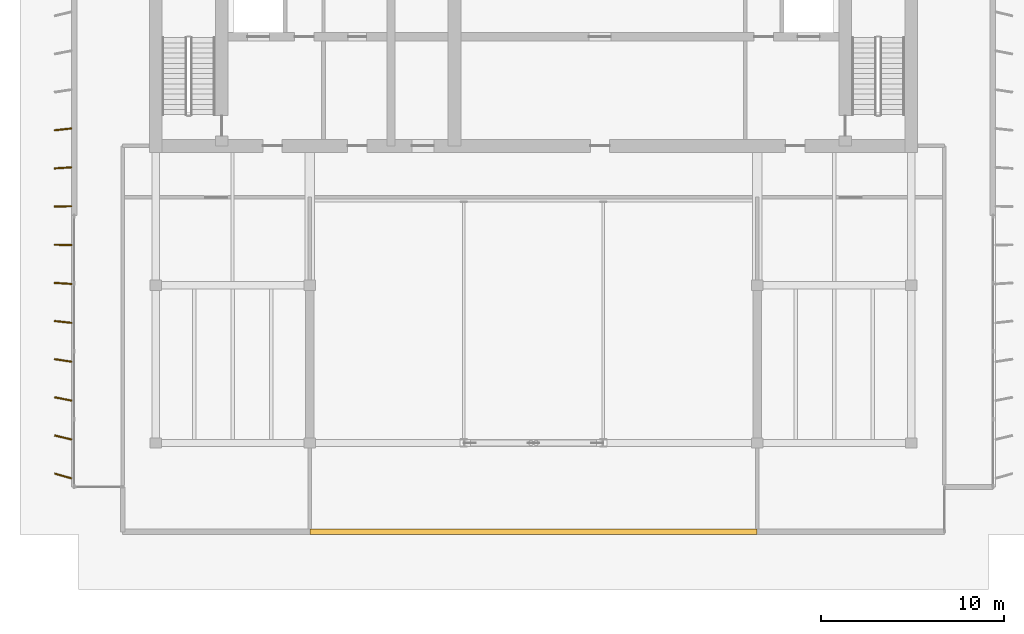
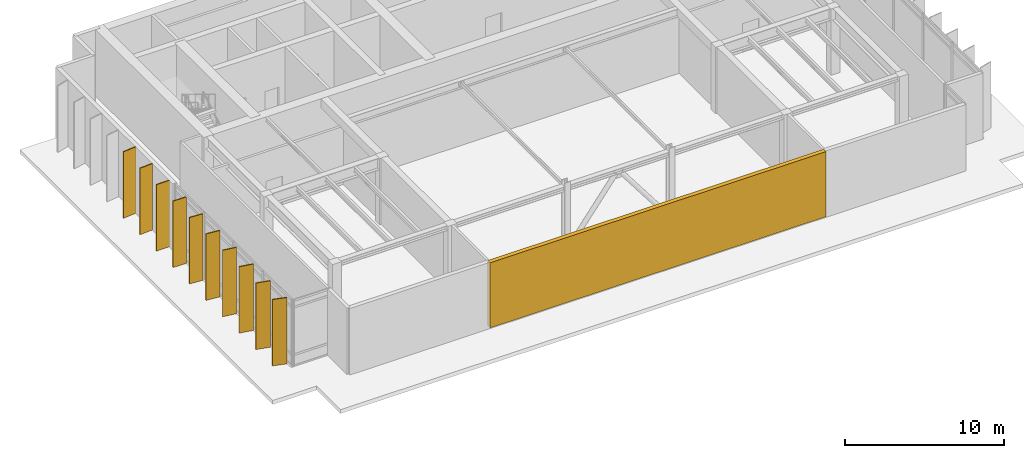
# One storey, part 8 of 10: 11 shading devices.
"""IFC4 building model written with IfcOpenShell, lengths in metres."""

from ifc_helpers import new_model, si_unit, direction, frame, origin, origin_2d, place, context, subcontext, project, spatial, rectangle, extrude, material, layer, layer_set, material_profile, profile_set, type_object, element, save


model = new_model("IFC4")

# Units and contexts
model_context = context("Model", 3, precision=1e-05, world=origin(), true_north=direction((0.0, 1.0)))
body_context = subcontext(model_context, "Body", "Model", "MODEL_VIEW")
ifc_project = project(units=[si_unit("LENGTHUNIT", "METRE"), si_unit("AREAUNIT", "SQUARE_METRE"), si_unit("VOLUMEUNIT", "CUBIC_METRE"), si_unit("PLANEANGLEUNIT", "RADIAN"), si_unit("MASSUNIT", "GRAM", prefix="KILO")], contexts=[model_context])

# Site, building, storey
site_placement = place(None, origin())
site = spatial("IfcSite", under=ifc_project, at=site_placement, CompositionType="ELEMENT")
building_placement = place(site_placement, origin())
building = spatial("IfcBuilding", under=site, at=building_placement, Name="Caelmar Bay Residences", CompositionType="ELEMENT")
storey_placement = place(building_placement, frame((0.0, 0.0, 279.39990234375)))
storey = spatial("IfcBuildingStorey", under=building, at=storey_placement, Name="L78", CompositionType="ELEMENT", Elevation=279.39990234375)

# Shading devices
ifc_material = material(Name="Anodised architectural bronze aluminium 6063-T6", Category="aluminium")
ifc_material_profile = material_profile(ifc_material, rectangle(XDim=0.074951171875, YDim=0.949951171875, at=origin_2d()), Name="BRONZE-FIN-75X950")
ifc_profile_set = profile_set([ifc_material_profile], Name="Anodised architectural bronze aluminium 6063-T6")
shading_device_type_1 = type_object("IfcShadingDeviceType", Name="SHD-FIN-950", PredefinedType="USERDEFINED", material=ifc_profile_set)
for number, where, z_axis, x_axis, name in (
    (1, (13.25, 19.0, 0.0), (0.0, 0.0, 1.0), (0.275637355817, 0.961261695938, 0.0), "L78 West Bronze Solar Fin 1"),
    (2, (13.25, 21.10009765625, 0.0), (0.0, 0.0, 1.0), (0.234124149178, 0.972206707841, 0.0), "L78 West Bronze Solar Fin 2"),
    (3, (13.25, 23.199951171875, 0.0), (0.0, 0.0, 1.0), (0.192179419046, 0.981359807051, 0.0), "L78 West Bronze Solar Fin 3"),
    (4, (13.25, 25.300048828125, 0.0), (0.0, 0.0, 1.0), (0.149880475413, 0.988704123128, 0.0), "L78 West Bronze Solar Fin 4"),
    (5, (13.25, 27.39990234375, 0.0), (0.0, 0.0, 1.0), (0.107131754314, 0.994244832633, 0.0), "L78 West Bronze Solar Fin 5"),
    (6, (13.25, 29.5, 0.0), (0.0, 0.0, 1.0), (0.064358138139, 0.997926866086, 0.0), "L78 West Bronze Solar Fin 6"),
    (7, (13.25, 31.60009765625, 0.0), (0.0, 0.0, 1.0), (0.02146590093, 0.999769581002, 0.0), "L78 West Bronze Solar Fin 7"),
    (8, (13.25, 33.699951171875, 0.0), (0.0, 0.0, 1.0), (-0.02146590093, 0.999769581002, 0.0), "L78 West Bronze Solar Fin 8"),
    (9, (13.25, 35.800048828125, 0.0), (0.0, 0.0, 1.0), (-0.064358138139, 0.997926866086, 0.0), "L78 West Bronze Solar Fin 9"),
    (10, (13.25, 37.89990234375, 0.0), (0.0, 0.0, 1.0), (-0.107131754314, 0.994244832633, 0.0), "L78 West Bronze Solar Fin 10"),
):
    element("IfcShadingDevice", number, at=place(storey_placement, frame(where, z_axis=z_axis, x_axis=x_axis)), inside=storey, type_object=shading_device_type_1, Name=name, ObjectType="FIN", PredefinedType="USERDEFINED", context=body_context, shape_type="SweptSolid", body=[
        extrude(rectangle(XDim=0.074951171875, YDim=0.949951171875, at=origin_2d()), origin(), (0.0, 0.0, 1.0), 5.10009765625),
    ])
ifc_layer = layer(ifc_material, 0.219970703125)
ifc_layer_set = layer_set([ifc_layer], Name="Anodised architectural bronze aluminium 6063-T6")
shading_device_type_2 = type_object("IfcShadingDeviceType", Name="SHD-LVR-300", PredefinedType="JALOUSIE", material=ifc_layer_set)
shading_device_placement = place(storey_placement, frame((38.89990234375, 15.949951171875, 0.050048828125), z_axis=(0.0, 0.0, 1.0), x_axis=(1.0, 0.0, 0.0)))
element("IfcShadingDevice", 11, at=shading_device_placement, inside=storey, type_object=shading_device_type_2, Name="L78 Venturi Turbine Slot Protective Louvre", PredefinedType="JALOUSIE", context=body_context, shape_type="SweptSolid", body=[
    extrude(rectangle(XDim=24.39990234375, YDim=0.300048828125, at=origin_2d()), origin(), (0.0, 0.0, 1.0), 5.0),
])

save(model, "model.ifc")
